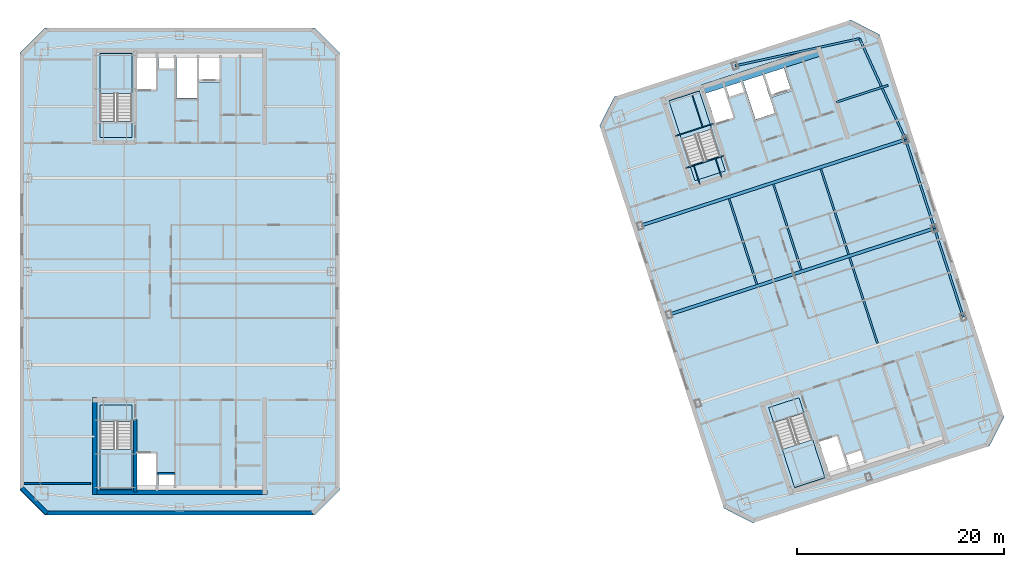
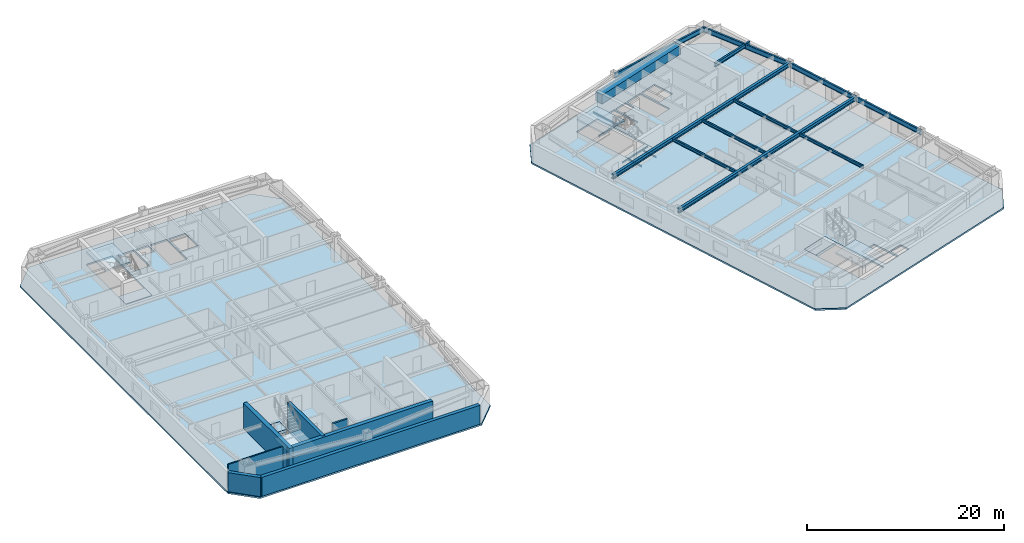
# One storey, part 4 of 13: 17 beams, 10 slabs, 7 walls, 4 elements without a shape of their own.
"""IFC4 building model written with IfcOpenShell, lengths in metres."""

from ifc_helpers import new_model, si_unit, direction, frame, frame_2d, origin, origin_2d, place, context, subcontext, project, spatial, polyline, rectangle, i_section, outline, extrude, material, layer, layer_set, material_profile, profile_set, type_object, element, aggregate, save


model = new_model("IFC4")

# Units and contexts
model_context = context("Model", 3, precision=1e-05, world=origin(), true_north=direction((0.0, 1.0)))
body_context = subcontext(model_context, "Body", "Model", "MODEL_VIEW")
ifc_project = project(units=[si_unit("LENGTHUNIT", "METRE"), si_unit("AREAUNIT", "SQUARE_METRE"), si_unit("VOLUMEUNIT", "CUBIC_METRE"), si_unit("PLANEANGLEUNIT", "RADIAN"), si_unit("MASSUNIT", "GRAM", prefix="KILO")], contexts=[model_context])

# Site, building, storey
site_placement = place(None, origin())
site = spatial("IfcSite", under=ifc_project, at=site_placement, CompositionType="ELEMENT")
building_placement = place(site_placement, origin())
building = spatial("IfcBuilding", under=site, at=building_placement, Name="Qiaolan Cultural Towers", CompositionType="ELEMENT")
storey_placement = place(building_placement, frame((0.0, 0.0, 234.39990234375)))
storey = spatial("IfcBuildingStorey", under=building, at=storey_placement, Name="L63", CompositionType="ELEMENT", Elevation=234.39990234375)

# Beams
ifc_material_1 = material(Name="Steel Q355B", Category="steel")
ifc_material_profile_1 = material_profile(ifc_material_1, i_section(OverallWidth=0.300048828125, OverallDepth=0.488037109375, WebThickness=0.010986328125, FlangeThickness=0.01806640625, at=origin_2d()), Name="HM488x300x11x18")
ifc_profile_set_1 = profile_set([ifc_material_profile_1], Name="Steel Q355B")
beam_type_1 = type_object("IfcBeamType", Name="BM-HM488x300x11x18", PredefinedType="BEAM", material=ifc_profile_set_1)
beam_1_placement = place(storey_placement, frame((77.208251953125, 29.84375, 2.696044921875), z_axis=(0.95105740976, 0.309014244561, 0.0), x_axis=(-0.309014244561, 0.95105740976, 0.0)))
element("IfcBeam", 1, at=beam_1_placement, inside=storey, type_object=beam_type_1, Name="L63 T2 Primary Transverse Girder V2", PredefinedType="BEAM", context=body_context, shape_type="SweptSolid", body=[
    extrude(i_section(OverallWidth=0.300048828125, OverallDepth=0.488037109375, WebThickness=0.010986328125, FlangeThickness=0.01806640625, at=origin_2d()), origin(), (0.0, 0.0, 1.0), 26.900146484375),
])
beam_2_placement = place(storey_placement, frame((74.42724609375, 38.4033203125, 2.696044921875), z_axis=(0.951056543098, 0.309016911884, 0.0), x_axis=(-0.309016911884, 0.951056543098, 0.0)))
element("IfcBeam", 2, at=beam_2_placement, inside=storey, type_object=beam_type_1, Name="L63 T2 Primary Transverse Girder V3", PredefinedType="BEAM", context=body_context, shape_type="SweptSolid", body=[
    extrude(i_section(OverallWidth=0.300048828125, OverallDepth=0.488037109375, WebThickness=0.010986328125, FlangeThickness=0.01806640625, at=origin_2d()), origin(), (0.0, 0.0, 1.0), 26.89990234375),
])
ifc_material_2 = material(Name="Steel Q355B", Category="steel")
ifc_material_profile_2 = material_profile(ifc_material_2, i_section(OverallWidth=0.175048828125, OverallDepth=0.35009765625, WebThickness=0.007080078125, FlangeThickness=0.010986328125, at=origin_2d()), Name="HN350x175x7x11")
ifc_profile_set_2 = profile_set([ifc_material_profile_2], Name="Steel Q355B")
beam_type_2 = type_object("IfcBeamType", Name="BM-JST-HN350x175x7x11", PredefinedType="JOIST", material=ifc_profile_set_2)
for number, where, z_axis, x_axis, name in (
    (3, (85.673828125, 32.752197265625, 2.76513671875), (-0.309020714809, 0.951055307445, 0.0), (-0.951055307445, -0.309020714809, 0.0), "L63 T2 Secondary Floor Joist U1-3"),
    (4, (89.95361328125, 34.142578125, 2.76513671875), (-0.309020714809, 0.951055307445, 0.0), (-0.951055307445, -0.309020714809, 0.0), "L63 T2 Secondary Floor Joist U2-3"),
    (5, (97.2998046875, 27.06640625, 2.76513671875), (-0.309020714809, 0.951055307445, 0.0), (-0.951055307445, -0.309020714809, 0.0), "L63 T2 Secondary Floor Joist U3-2"),
    (6, (94.518798828125, 35.6259765625, 2.76513671875), (-0.309020714809, 0.951055307445, 0.0), (-0.951055307445, -0.309020714809, 0.0), "L63 T2 Secondary Floor Joist U3-3"),
):
    element("IfcBeam", number, at=place(storey_placement, frame(where, z_axis=z_axis, x_axis=x_axis)), inside=storey, type_object=beam_type_2, Name=name, PredefinedType="JOIST", context=body_context, shape_type="SweptSolid", body=[
        extrude(i_section(OverallWidth=0.175048828125, OverallDepth=0.35009765625, WebThickness=0.007080078125, FlangeThickness=0.010986328125, at=origin_2d()), origin(), (0.0, 0.0, 1.0), 8.699951171875),
    ])
ifc_material_3 = material(Name="Steel Q355B", Category="steel")
ifc_material_profile_3 = material_profile(ifc_material_3, i_section(OverallWidth=0.199951171875, OverallDepth=0.449951171875, WebThickness=0.009033203125, FlangeThickness=0.013916015625, at=origin_2d()), Name="HN450x200x9x14")
ifc_profile_set_3 = profile_set([ifc_material_profile_3], Name="Steel Q355B")
beam_type_3 = type_object("IfcBeamType", Name="BM-LNT-HN450x200x9x14", PredefinedType="LINTEL", material=ifc_profile_set_3)
beam_3_placement = place(storey_placement, frame((93.31787109375, 50.32421875, 2.715087890625), z_axis=(0.951060037126, 0.309006158161, 0.0), x_axis=(-0.309006158161, 0.951060037126, 0.0)))
element("IfcBeam", 7, at=beam_3_placement, inside=storey, type_object=beam_type_3, Name="L63 T2 Core Flank Tie Lintel EN", PredefinedType="LINTEL", context=body_context, shape_type="SweptSolid", body=[
    extrude(i_section(OverallWidth=0.199951171875, OverallDepth=0.449951171875, WebThickness=0.009033203125, FlangeThickness=0.013916015625, at=origin_2d()), origin(), (0.0, 0.0, 1.0), 5.25),
])
ifc_material_4 = material(Name="Concrete C50", Category="concrete")
ifc_material_profile_4 = material_profile(ifc_material_4, rectangle(XDim=0.89990234375, YDim=1.10009765625, at=origin_2d()), Name="RC900x1100")
ifc_profile_set_4 = profile_set([ifc_material_profile_4], Name="Concrete C50")
beam_type_4 = type_object("IfcBeamType", Name="BM-RC900x1100", PredefinedType="BEAM", material=ifc_profile_set_4)
beam_4_placement = place(storey_placement, frame((80.427978515625, 51.551025390625, 2.39013671875), z_axis=(0.951056266386, 0.309017763514, 0.0), x_axis=(-0.309017763514, 0.951056266386, 0.0)))
element("IfcBeam", 8, at=beam_4_placement, inside=storey, type_object=beam_type_4, Name="L63 T2 Core Header Girder N", PredefinedType="BEAM", context=body_context, shape_type="SweptSolid", body=[
    extrude(rectangle(XDim=0.89990234375, YDim=1.10009765625, at=origin_2d()), origin(), (0.0, 0.0, 1.0), 11.880126953125),
])
ifc_material_5 = material(Name="Steel Q355B", Category="steel")
ifc_material_profile_5 = material_profile(ifc_material_5, i_section(OverallWidth=0.199951171875, OverallDepth=0.60009765625, WebThickness=0.010986328125, FlangeThickness=0.01708984375, at=origin_2d()), Name="HN600x200x11x17")
ifc_profile_set_5 = profile_set([ifc_material_profile_5], Name="Steel Q355B")
beam_type_5 = type_object("IfcBeamType", Name="BM-SPD-HN600x200x11x17", PredefinedType="SPANDREL", material=ifc_profile_set_5)
for number, where, z_axis, x_axis, name in (
    (9, (105.57275390625, 29.5966796875, 2.64013671875), (-0.309000197986, 0.951061973609, 0.0), (-0.951061973609, -0.309000197986, 0.0), "L63 T2 Perimeter Spandrel Beam 4"),
    (10, (102.791748046875, 38.15625, 2.64013671875), (-0.309024734286, 0.951054001411, 0.0), (-0.951054001411, -0.309024734286, 0.0), "L63 T2 Perimeter Spandrel Beam 5"),
):
    element("IfcBeam", number, at=place(storey_placement, frame(where, z_axis=z_axis, x_axis=x_axis)), inside=storey, type_object=beam_type_5, Name=name, PredefinedType="SPANDREL", context=body_context, shape_type="SweptSolid", body=[
        extrude(i_section(OverallWidth=0.199951171875, OverallDepth=0.60009765625, WebThickness=0.010986328125, FlangeThickness=0.01708984375, at=origin_2d()), origin(), (0.0, 0.0, 1.0), 9.0),
    ])
beam_5_placement = place(storey_placement, frame((100.010498046875, 46.7158203125, 2.64013671875), z_axis=(-0.414500208282, 0.910049216985, 0.0), x_axis=(-0.910049216985, -0.414500208282, 0.0)))
element("IfcBeam", 11, at=beam_5_placement, inside=storey, type_object=beam_type_5, Name="L63 T2 Perimeter Spandrel Beam 6", PredefinedType="SPANDREL", context=body_context, shape_type="SweptSolid", body=[
    extrude(i_section(OverallWidth=0.199951171875, OverallDepth=0.60009765625, WebThickness=0.010986328125, FlangeThickness=0.01708984375, at=origin_2d()), origin(), (0.0, 0.0, 1.0), 10.70849609375),
])
beam_6_placement = place(storey_placement, frame((95.57177734375, 56.461181640625, 2.64013671875), z_axis=(-0.976843395078, -0.213955559619, 0.0), x_axis=(0.213955559619, -0.976843395078, 0.0)))
element("IfcBeam", 12, at=beam_6_placement, inside=storey, type_object=beam_type_5, Name="L63 T2 Perimeter Spandrel Beam 7", PredefinedType="SPANDREL", context=body_context, shape_type="SweptSolid", body=[
    extrude(i_section(OverallWidth=0.199951171875, OverallDepth=0.60009765625, WebThickness=0.010986328125, FlangeThickness=0.01708984375, at=origin_2d()), origin(), (0.0, 0.0, 1.0), 12.2998046875),
])
ifc_material_6 = material(Name="Steel Q355B", Category="steel")
ifc_material_profile_6 = material_profile(ifc_material_6, i_section(OverallWidth=0.10009765625, OverallDepth=0.199951171875, WebThickness=0.005615234375, FlangeThickness=0.008056640625, at=origin_2d()), Name="HN200x100x5.5x8")
ifc_profile_set_6 = profile_set([ifc_material_profile_6], Name="Steel Q355B")
beam_type_6 = type_object("IfcBeamType", Name="BM-STTRIM-200", PredefinedType="BEAM", material=ifc_profile_set_6)
beam_7_placement = place(storey_placement, frame((78.773193359375, 43.958251953125, -0.4599609375), z_axis=(0.951072048947, 0.3089691857, 0.0), x_axis=(-0.3089691857, 0.951072048947, 0.0)))
element("IfcBeam", 13, at=beam_7_placement, inside=storey, type_object=beam_type_6, Name="L63 ST-E2 Floor Landing Header Beam", PredefinedType="BEAM", context=body_context, shape_type="SweptSolid", body=[
    extrude(i_section(OverallWidth=0.10009765625, OverallDepth=0.199951171875, WebThickness=0.005615234375, FlangeThickness=0.008056640625, at=origin_2d()), origin(), (0.0, 0.0, 1.0), 3.920166015625),
])
for number, where, z_axis, x_axis, name in (
    (14, (80.18115234375, 42.375732421875, -0.4599609375), (-0.308969394428, 0.951071981138, 0.0), (-0.951071981138, -0.308969394428, 0.0), "L63 ST-E2 Floor Landing Stringer 1"),
    (15, (82.2734375, 43.0556640625, -0.4599609375), (-0.308969394428, 0.951071981138, 0.0), (-0.951071981138, -0.308969394428, 0.0), "L63 ST-E2 Floor Landing Stringer 2"),
):
    element("IfcBeam", number, at=place(storey_placement, frame(where, z_axis=z_axis, x_axis=x_axis)), inside=storey, type_object=beam_type_6, Name=name, PredefinedType="BEAM", context=body_context, shape_type="SweptSolid", body=[
        extrude(i_section(OverallWidth=0.10009765625, OverallDepth=0.199951171875, WebThickness=0.005615234375, FlangeThickness=0.008056640625, at=origin_2d()), origin(), (0.0, 0.0, 1.0), 1.93994140625),
    ])
beam_8_placement = place(storey_placement, frame((77.769287109375, 47.0478515625, 1.300048828125), z_axis=(0.951053746643, 0.309025518358, 0.0), x_axis=(-0.309025518358, 0.951053746643, 0.0)))
element("IfcBeam", 16, at=beam_8_placement, inside=storey, type_object=beam_type_6, Name="L63 ST-E2 Stair Landing Support Beam 1-1", PredefinedType="BEAM", context=body_context, shape_type="SweptSolid", body=[
    extrude(i_section(OverallWidth=0.10009765625, OverallDepth=0.199951171875, WebThickness=0.005615234375, FlangeThickness=0.008056640625, at=origin_2d()), origin(), (0.0, 0.0, 1.0), 3.920166015625),
])
beam_9_placement = place(storey_placement, frame((80.44189453125, 47.916259765625, 1.300048828125), z_axis=(-0.309033108495, 0.951051280349, 0.0), x_axis=(-0.951051280349, -0.309033108495, 0.0)))
element("IfcBeam", 17, at=beam_9_placement, inside=storey, type_object=beam_type_6, Name="L63 ST-E2 Stair Landing Trimmer 1", PredefinedType="BEAM", context=body_context, shape_type="SweptSolid", body=[
    extrude(i_section(OverallWidth=0.10009765625, OverallDepth=0.199951171875, WebThickness=0.005615234375, FlangeThickness=0.008056640625, at=origin_2d()), origin(), (0.0, 0.0, 1.0), 3.231201171875),
])

# Slabs
ifc_material_7 = material(Name="Concrete C45", Category="concrete")
ifc_layer_1 = layer(ifc_material_7, 0.199951171875)
ifc_layer_set_1 = layer_set([ifc_layer_1], Name="Concrete C45")
slab_type_1 = type_object("IfcSlabType", Name="SL-HI-200", PredefinedType="FLOOR", material=ifc_layer_set_1)
slab_1_placement = place(storey_placement, frame((0.0, 0.0, -0.199951171875)))
element("IfcSlab", 18, at=slab_1_placement, inside=storey, type_object=slab_type_1, Name="L63 West Tower Floor Slab", PredefinedType="FLOOR", context=body_context, shape_type="SweptSolid", body=[
    extrude(outline(polyline([(17.0, 10.5), (43.0, 10.5), (45.39990234375, 12.89990234375), (45.39990234375, 55.10009765625), (43.0, 57.5), (17.0, 57.5), (14.60009765625, 55.10009765625), (14.60009765625, 12.89990234375), (17.0, 10.5)]), holes=[polyline([(22.300048828125, 21.10009765625), (22.300048828125, 13.0), (25.3798828125, 13.0), (25.3798828125, 21.10009765625), (22.300048828125, 21.10009765625)]), polyline([(25.3798828125, 46.89990234375), (25.3798828125, 55.0), (22.300048828125, 55.0), (22.300048828125, 46.89990234375), (25.3798828125, 46.89990234375)]), polyline([(25.89990234375, 13.199951171875), (27.75, 13.199951171875), (27.75, 16.449951171875), (25.89990234375, 16.449951171875), (25.89990234375, 13.199951171875)]), polyline([(27.93994140625, 13.25), (29.449951171875, 13.25), (29.449951171875, 14.419921875), (27.93994140625, 14.419921875), (27.93994140625, 13.25)]), polyline([(25.89990234375, 51.550048828125), (27.75, 51.550048828125), (27.75, 54.800048828125), (25.89990234375, 54.800048828125), (25.89990234375, 51.550048828125)]), polyline([(27.93994140625, 53.580078125), (29.449951171875, 53.580078125), (29.449951171875, 54.75), (27.93994140625, 54.75), (27.93994140625, 53.580078125)]), polyline([(31.8798828125, 52.27001953125), (33.820068359375, 52.27001953125), (33.820068359375, 54.75), (31.8798828125, 54.75), (31.8798828125, 52.27001953125)]), polyline([(29.679931640625, 50.719970703125), (31.659912109375, 50.719970703125), (31.659912109375, 54.75), (29.679931640625, 54.75), (29.679931640625, 50.719970703125)])]), origin(), (0.0, 0.0, 1.0), 0.199951171875),
])
slab_2_placement = place(storey_placement, frame((0.0, 0.0, -0.199951171875)))
element("IfcSlab", 19, at=slab_2_placement, inside=storey, type_object=slab_type_1, Name="L63 East Tower Floor Slab", PredefinedType="FLOOR", context=body_context, shape_type="SweptSolid", body=[
    extrude(outline(polyline([(85.26220703125, 9.7490234375), (108.08740234375, 17.165283203125), (109.5, 19.9375), (97.510009765625, 56.838623046875), (94.73779296875, 58.2509765625), (71.91259765625, 50.834716796875), (70.5, 48.0625), (82.489990234375, 11.161376953125), (85.26220703125, 9.7490234375)]), holes=[polyline([(86.80126953125, 20.868896484375), (89.30419921875, 13.165283203125), (92.2333984375, 14.116943359375), (89.73046875, 21.820556640625), (86.80126953125, 20.868896484375)]), polyline([(82.623046875, 43.69482421875), (80.1201171875, 51.3984375), (77.190673828125, 50.44677734375), (79.69384765625, 42.7431640625), (82.623046875, 43.69482421875)]), polyline([(92.666259765625, 14.468017578125), (94.42578125, 15.03955078125), (93.42138671875, 18.130615234375), (91.661865234375, 17.558837890625), (92.666259765625, 14.468017578125)]), polyline([(94.5908203125, 15.14599609375), (96.027099609375, 15.612548828125), (95.66552734375, 16.725341796875), (94.2294921875, 16.258544921875), (94.5908203125, 15.14599609375)]), polyline([(81.6806640625, 48.278076171875), (83.440185546875, 48.849609375), (82.435791015625, 51.940673828125), (80.67626953125, 51.368896484375), (81.6806640625, 48.278076171875)]), polyline([(82.993408203125, 50.839111328125), (84.4296875, 51.3056640625), (84.068115234375, 52.41845703125), (82.632080078125, 51.95166015625), (82.993408203125, 50.839111328125)]), polyline([(87.1455078125, 50.810791015625), (88.990478515625, 51.41015625), (88.22412109375, 53.768798828125), (86.379150390625, 53.169189453125), (87.1455078125, 50.810791015625)]), polyline([(85.5322265625, 48.65673828125), (87.415283203125, 49.2685546875), (86.169921875, 53.101318359375), (84.286865234375, 52.489501953125), (85.5322265625, 48.65673828125)])]), origin(), (0.0, 0.0, 1.0), 0.199951171875),
])

# Stair, slab
ifc_material_8 = material(Name="Concrete C45", Category="concrete")
stair_type = type_object("IfcStairType", Name="STR-CORE-1500", PredefinedType="HALF_TURN_STAIR", material=ifc_material_8)
stair_1_placement = place(storey_placement, origin())
stair_1 = element("IfcStair", 20, at=stair_1_placement, inside=storey, type_object=stair_type, Name="L63 Smokeproof Exit Stair ST-W1", PredefinedType="HALF_TURN_STAIR")
ifc_material_9 = material(Name="Concrete C45", Category="concrete")
ifc_layer_2 = layer(ifc_material_9, 0.199951171875)
ifc_layer_set_2 = layer_set([ifc_layer_2], Name="Concrete C45")
slab_type_2 = type_object("IfcSlabType", Name="SL-STAIR-LAND", PredefinedType="LANDING", material=ifc_layer_set_2)
slab_3_placement = place(storey_placement, frame((0.0, 0.0, 1.400146484375)))
slab_3 = element("IfcSlab", 21, at=slab_3_placement, type_object=slab_type_2, Name="ST-W1 landing 1", PredefinedType="LANDING", context=body_context, shape_type="SweptSolid", body=[
    extrude(outline(polyline([(22.300048828125, 16.851318359375), (22.300048828125, 13.0), (25.3798828125, 13.0), (25.3798828125, 16.851318359375), (22.300048828125, 16.851318359375)])), origin(), (0.0, 0.0, 1.0), 0.199951171875),
])
aggregate(stair_1, [slab_3])

stair_2_placement = place(storey_placement, origin())
stair_2 = element("IfcStair", 22, at=stair_2_placement, inside=storey, type_object=stair_type, Name="L63 Smokeproof Exit Stair ST-W2", PredefinedType="HALF_TURN_STAIR")
slab_4_placement = place(storey_placement, frame((0.0, 0.0, 1.400146484375)))
slab_4 = element("IfcSlab", 23, at=slab_4_placement, type_object=slab_type_2, Name="ST-W2 landing 1", PredefinedType="LANDING", context=body_context, shape_type="SweptSolid", body=[
    extrude(outline(polyline([(25.3798828125, 51.148681640625), (25.3798828125, 55.0), (22.300048828125, 55.0), (22.300048828125, 51.148681640625), (25.3798828125, 51.148681640625)])), origin(), (0.0, 0.0, 1.0), 0.199951171875),
])
aggregate(stair_2, [slab_4])

stair_3_placement = place(storey_placement, origin())
stair_3 = element("IfcStair", 24, at=stair_3_placement, inside=storey, type_object=stair_type, Name="L63 Smokeproof Exit Stair ST-E1", PredefinedType="HALF_TURN_STAIR")
slab_5_placement = place(storey_placement, frame((0.0, 0.0, 1.400146484375)))
slab_5 = element("IfcSlab", 25, at=slab_5_placement, type_object=slab_type_2, Name="ST-E1 landing 1", PredefinedType="LANDING", context=body_context, shape_type="SweptSolid", body=[
    extrude(outline(polyline([(88.114013671875, 16.828125), (89.30419921875, 13.165283203125), (92.2333984375, 14.116943359375), (91.04345703125, 17.77978515625), (88.114013671875, 16.828125)])), origin(), (0.0, 0.0, 1.0), 0.199951171875),
])
aggregate(stair_3, [slab_5])

stair_4_placement = place(storey_placement, origin())
stair_4 = element("IfcStair", 26, at=stair_4_placement, inside=storey, type_object=stair_type, Name="L63 Smokeproof Exit Stair ST-E2", PredefinedType="HALF_TURN_STAIR")
slab_6_placement = place(storey_placement, frame((0.0, 0.0, 1.400146484375)))
slab_6 = element("IfcSlab", 27, at=slab_6_placement, type_object=slab_type_2, Name="ST-E2 landing 1", PredefinedType="LANDING", context=body_context, shape_type="SweptSolid", body=[
    extrude(outline(polyline([(81.31005859375, 47.735595703125), (80.1201171875, 51.3984375), (77.190673828125, 50.44677734375), (78.380859375, 46.783935546875), (81.31005859375, 47.735595703125)])), origin(), (0.0, 0.0, 1.0), 0.199951171875),
])
aggregate(stair_4, [slab_6])

# Slabs
ifc_material_10 = material(Name="Concrete C40", Category="concrete")
ifc_layer_3 = layer(ifc_material_10, 0.360107421875)
ifc_layer_set_3 = layer_set([ifc_layer_3], Name="Concrete C40")
slab_type_3 = type_object("IfcSlabType", Name="SL-STFLR-360", PredefinedType="LANDING", material=ifc_layer_set_3)
slab_7_placement = place(storey_placement, frame((0.0, 0.0, -0.35986328125)))
element("IfcSlab", 28, at=slab_7_placement, inside=storey, type_object=slab_type_3, Name="L63 ST-W1 Stair Floor Landing Slab", PredefinedType="LANDING", context=body_context, shape_type="SweptSolid", body=[
    extrude(outline(polyline([(22.302001953125, 21.097900390625), (22.302001953125, 19.548583984375), (25.3779296875, 19.548583984375), (25.3779296875, 21.097900390625), (22.302001953125, 21.097900390625)])), origin(), (0.0, 0.0, 1.0), 0.35986328125),
])
slab_8_placement = place(storey_placement, frame((0.0, 0.0, -0.35986328125)))
element("IfcSlab", 29, at=slab_8_placement, inside=storey, type_object=slab_type_3, Name="L63 ST-W2 Stair Floor Landing Slab", PredefinedType="LANDING", context=body_context, shape_type="SweptSolid", body=[
    extrude(outline(polyline([(25.3779296875, 46.902099609375), (25.3779296875, 48.451416015625), (22.302001953125, 48.451416015625), (22.302001953125, 46.902099609375), (25.3779296875, 46.902099609375)])), origin(), (0.0, 0.0, 1.0), 0.35986328125),
])
slab_9_placement = place(storey_placement, frame((0.0, 0.0, -0.35986328125)))
element("IfcSlab", 30, at=slab_9_placement, inside=storey, type_object=slab_type_3, Name="L63 ST-E1 Stair Floor Landing Slab", PredefinedType="LANDING", context=body_context, shape_type="SweptSolid", body=[
    extrude(outline(polyline([(86.8037109375, 20.867431640625), (87.282470703125, 19.39404296875), (90.2080078125, 20.3447265625), (89.729248046875, 21.818115234375), (86.8037109375, 20.867431640625)])), origin(), (0.0, 0.0, 1.0), 0.35986328125),
])
slab_10_placement = place(storey_placement, frame((0.0, 0.0, -0.35986328125)))
element("IfcSlab", 31, at=slab_10_placement, inside=storey, type_object=slab_type_3, Name="L63 ST-E2 Stair Floor Landing Slab", PredefinedType="LANDING", context=body_context, shape_type="SweptSolid", body=[
    extrude(outline(polyline([(82.62060546875, 43.6962890625), (82.141845703125, 45.169677734375), (79.21630859375, 44.21923828125), (79.695068359375, 42.74560546875), (82.62060546875, 43.6962890625)])), origin(), (0.0, 0.0, 1.0), 0.35986328125),
])

# Walls
ifc_material_11 = material(Name="Concrete C50", Category="concrete")
ifc_layer_4 = layer(ifc_material_11, 0.35009765625)
ifc_layer_set_4 = layer_set([ifc_layer_4], Name="Concrete C50")
wall_type_1 = type_object("IfcWallType", Name="WL-CORE-350", PredefinedType="SHEAR", material=ifc_layer_set_4)
wall_1_placement = place(storey_placement, frame((25.719970703125, 19.699951171875, 0.0), z_axis=(0.0, 0.0, 1.0), x_axis=(0.0, -1.0, 0.0)))
element("IfcWall", 32, at=wall_1_placement, inside=storey, type_object=wall_type_1, Name="L63 T1-CS Stair Core Dividing Web", PredefinedType="SHEAR", context=body_context, shape_type="SweptSolid", body=[
    extrude(rectangle(XDim=6.97998046875, YDim=0.35009765625, at=frame_2d((3.489990234375, 0.0))), origin(), (0.0, 0.0, 1.0), 3.2001953125),
])
ifc_material_12 = material(Name="Concrete C50", Category="concrete")
ifc_layer_5 = layer(ifc_material_12, 0.449951171875)
ifc_layer_set_5 = layer_set([ifc_layer_5], Name="Concrete C50")
wall_type_2 = type_object("IfcWallType", Name="WL-CORE-450", PredefinedType="SHEAR", material=ifc_layer_set_5)
wall_2_placement = place(storey_placement, frame((21.574951171875, 12.719970703125, 0.0), z_axis=(0.0, 0.0, 1.0), x_axis=(1.0, 0.0, 0.0)))
element("IfcWall", 33, at=wall_2_placement, inside=storey, type_object=wall_type_2, Name="L63 T1-CS Outer Core Shear Wall", PredefinedType="SHEAR", context=body_context, shape_type="SweptSolid", body=[
    extrude(rectangle(XDim=16.85009765625, YDim=0.449951171875, at=frame_2d((8.425048828125, 0.0))), origin(), (0.0, 0.0, 1.0), 3.2001953125),
])
wall_3_placement = place(storey_placement, frame((21.800048828125, 21.824951171875, 0.0), z_axis=(0.0, 0.0, 1.0), x_axis=(0.0, -1.0, 0.0)))
element("IfcWall", 34, at=wall_3_placement, inside=storey, type_object=wall_type_2, Name="L63 T1-CS West Core Shear Wall", PredefinedType="SHEAR", context=body_context, shape_type="SweptSolid", body=[
    extrude(rectangle(XDim=9.329833984375, YDim=0.449951171875, at=frame_2d((4.6650390625, 0.0))), origin(), (0.0, 0.0, 1.0), 3.2001953125),
])
ifc_material_13 = material(Name="Precast Concrete C50 Honed Stone Pier", Category="masonry")
ifc_layer_6 = layer(ifc_material_13, 0.39990234375)
ifc_layer_set_6 = layer_set([ifc_layer_6], Name="Precast Concrete C50 Honed Stone Pier")
wall_type_3 = type_object("IfcWallType", Name="WL-EXT-PIER-400", PredefinedType="SOLIDWALL", material=ifc_layer_set_6)
wall_4_placement = place(storey_placement, frame((42.800048828125, 10.699951171875, 0.0), z_axis=(0.0, 0.0, 1.0), x_axis=(-1.0, 0.0, 0.0)))
element("IfcWall", 35, at=wall_4_placement, inside=storey, type_object=wall_type_3, Name="L63 West Tower Precast Pier Facade Wall F7", PredefinedType="SOLIDWALL", context=body_context, shape_type="SweptSolid", body=[
    extrude(rectangle(XDim=25.60009765625, YDim=0.39990234375, at=frame_2d((12.800048828125, 0.0))), origin(), (0.0, 0.0, 1.0), 2.360107421875),
])
wall_5_placement = place(storey_placement, frame((17.199951171875, 10.699951171875, 0.0), z_axis=(0.0, 0.0, 1.0), x_axis=(-0.707070815327, 0.707142745217, 0.0)))
element("IfcWall", 36, at=wall_5_placement, inside=storey, type_object=wall_type_3, Name="L63 West Tower Precast Pier Facade Wall F8", PredefinedType="SOLIDWALL", context=body_context, shape_type="SweptSolid", body=[
    extrude(rectangle(XDim=3.39404296875, YDim=0.39990234375, at=frame_2d((1.697021484375, 0.0))), origin(), (0.0, 0.0, 1.0), 2.360107421875),
])
ifc_material_14 = material(Name="Concrete C35 Fire Wall", Category="concrete")
ifc_layer_7 = layer(ifc_material_14, 0.199951171875)
ifc_layer_set_7 = layer_set([ifc_layer_7], Name="Concrete C35 Fire Wall")
wall_type_4 = type_object("IfcWallType", Name="WL-FIRE-200", PredefinedType="PARTITIONING", material=ifc_layer_set_7)
wall_6_placement = place(storey_placement, frame((27.820068359375, 14.52001953125, 0.0), z_axis=(0.0, 0.0, 1.0), x_axis=(1.0, 0.0, 0.0)))
element("IfcWall", 37, at=wall_6_placement, inside=storey, type_object=wall_type_4, Name="L63 T1-CS Pressurization Shaft Front Wall", PredefinedType="PARTITIONING", context=body_context, shape_type="SweptSolid", body=[
    extrude(rectangle(XDim=1.72998046875, YDim=0.199951171875, at=frame_2d((0.864990234375, 0.0))), origin(), (0.0, 0.0, 1.0), 2.925048828125),
])
ifc_material_15 = material(Name="Autoclaved Aerated Concrete Block B06", Category="concrete")
ifc_layer_8 = layer(ifc_material_15, 0.14990234375)
ifc_layer_set_8 = layer_set([ifc_layer_8], Name="Autoclaved Aerated Concrete Block B06")
wall_type_5 = type_object("IfcWallType", Name="WL-PART-150", PredefinedType="PARTITIONING", material=ifc_layer_set_8)
wall_7_placement = place(storey_placement, frame((15.0, 13.550048828125, 0.0), z_axis=(0.0, 0.0, 1.0), x_axis=(1.0, 0.0, 0.0)))
element("IfcWall", 38, at=wall_7_placement, inside=storey, type_object=wall_type_5, Name="L63 T1 Flank Wall FLK-SW", PredefinedType="PARTITIONING", context=body_context, shape_type="SweptSolid", body=[
    extrude(rectangle(XDim=6.39990234375, YDim=0.14990234375, at=frame_2d((3.199951171875, 0.0))), origin(), (0.0, 0.0, 1.0), 2.925048828125),
])

save(model, "model.ifc")
